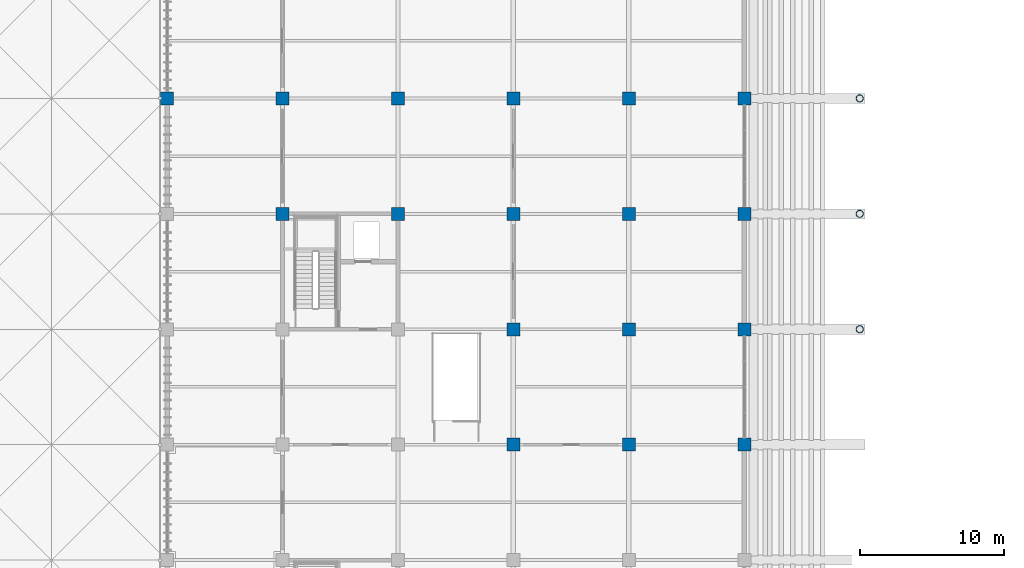
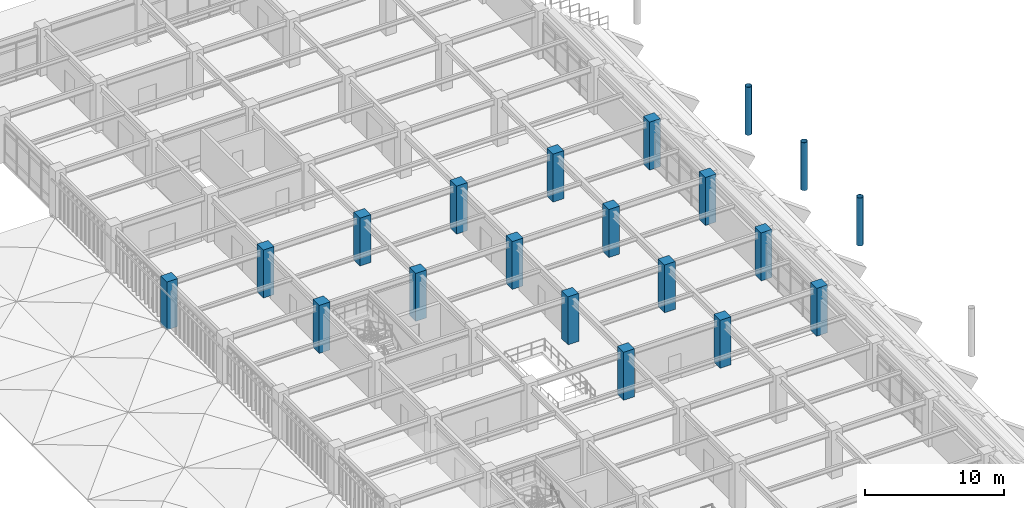
# One storey, part 5 of 118: 20 columns.
"""IFC4 building model written with IfcOpenShell, lengths in metres."""

from ifc_helpers import new_model, si_unit, direction, frame, origin, origin_2d, place, context, subcontext, project, spatial, rectangle, hollow_circle, extrude, material, material_profile, profile_set, type_object, element, save


model = new_model("IFC4")

# Units and contexts
model_context = context("Model", 3, precision=1e-05, world=origin(), true_north=direction((0.0, 1.0)))
body_context = subcontext(model_context, "Body", "Model", "MODEL_VIEW")
ifc_project = project(units=[si_unit("LENGTHUNIT", "METRE"), si_unit("AREAUNIT", "SQUARE_METRE"), si_unit("VOLUMEUNIT", "CUBIC_METRE"), si_unit("PLANEANGLEUNIT", "RADIAN"), si_unit("MASSUNIT", "GRAM", prefix="KILO")], contexts=[model_context])

# Site, building, storey
site_placement = place(None, origin())
site = spatial("IfcSite", under=ifc_project, at=site_placement, CompositionType="ELEMENT")
building_placement = place(site_placement, origin())
building = spatial("IfcBuilding", under=site, at=building_placement, Name="Haebicheon Civic Stadium", CompositionType="ELEMENT")
storey_placement = place(building_placement, frame((0.0, 0.0, 14.39990234375)))
storey = spatial("IfcBuildingStorey", under=building, at=storey_placement, Name="L04", CompositionType="ELEMENT", Elevation=14.39990234375)

# Columns
ifc_material_1 = material(Name="Concrete C40/50", Category="concrete")
ifc_material_profile_1 = material_profile(ifc_material_1, rectangle(XDim=0.89990234375, YDim=0.89990234375, at=origin_2d()), Name="RC-COL-900x900")
ifc_profile_set_1 = profile_set([ifc_material_profile_1], Name="Concrete C40/50")
column_type_1 = type_object("IfcColumnType", Name="COL-RC-900", PredefinedType="COLUMN", material=ifc_profile_set_1)
for number, where, z_axis, x_axis, name in (
    (1, (24.0, 120.0, 0.0), (0.0, 0.0, 1.0), (1.0, 0.0, 0.0), "L04 column 4/R"),
    (2, (32.0, 112.0, 0.0), (0.0, 0.0, 1.0), (1.0, 0.0, 0.0), "L04 column 5/Q"),
    (3, (32.0, 120.0, 0.0), (0.0, 0.0, 1.0), (1.0, 0.0, 0.0), "L04 column 5/R"),
    (4, (40.0, 112.0, 0.0), (0.0, 0.0, 1.0), (1.0, 0.0, 0.0), "L04 column 6/Q"),
    (5, (40.0, 120.0, 0.0), (0.0, 0.0, 1.0), (1.0, 0.0, 0.0), "L04 column 6/R"),
    (6, (48.0, 96.0, 0.0), (0.0, 0.0, 1.0), (1.0, 0.0, 0.0), "L04 column 7/N"),
    (7, (48.0, 104.0, 0.0), (0.0, 0.0, 1.0), (1.0, 0.0, 0.0), "L04 column 7/P"),
    (8, (48.0, 112.0, 0.0), (0.0, 0.0, 1.0), (1.0, 0.0, 0.0), "L04 column 7/Q"),
    (9, (48.0, 120.0, 0.0), (0.0, 0.0, 1.0), (1.0, 0.0, 0.0), "L04 column 7/R"),
    (10, (56.0, 96.0, 0.0), (0.0, 0.0, 1.0), (1.0, 0.0, 0.0), "L04 column 8/N"),
    (11, (56.0, 104.0, 0.0), (0.0, 0.0, 1.0), (1.0, 0.0, 0.0), "L04 column 8/P"),
    (12, (56.0, 112.0, 0.0), (0.0, 0.0, 1.0), (1.0, 0.0, 0.0), "L04 column 8/Q"),
    (13, (56.0, 120.0, 0.0), (0.0, 0.0, 1.0), (1.0, 0.0, 0.0), "L04 column 8/R"),
    (14, (64.0, 96.0, 0.0), (0.0, 0.0, 1.0), (1.0, 0.0, 0.0), "L04 column 9/N"),
    (15, (64.0, 104.0, 0.0), (0.0, 0.0, 1.0), (1.0, 0.0, 0.0), "L04 column 9/P"),
    (16, (64.0, 112.0, 0.0), (0.0, 0.0, 1.0), (1.0, 0.0, 0.0), "L04 column 9/Q"),
    (17, (64.0, 120.0, 0.0), (0.0, 0.0, 1.0), (1.0, 0.0, 0.0), "L04 column 9/R"),
):
    element("IfcColumn", number, at=place(storey_placement, frame(where, z_axis=z_axis, x_axis=x_axis)), inside=storey, type_object=column_type_1, material=ifc_profile_set_1, Name=name, PredefinedType="COLUMN", context=body_context, shape_type="SweptSolid", body=[
        extrude(rectangle(XDim=0.89990234375, YDim=0.89990234375, at=origin_2d()), origin(), (0.0, 0.0, 1.0), 4.2001953125),
    ])
ifc_material_2 = material(Name="White painted steel SM490", Category="steel")
ifc_material_profile_2 = material_profile(ifc_material_2, hollow_circle(Radius=0.25390625, WallThickness=0.02490234375, at=origin_2d()), Name="CHS-508.0x25.0")
ifc_profile_set_2 = profile_set([ifc_material_profile_2], Name="White painted steel SM490")
column_type_2 = type_object("IfcColumnType", Name="COL-ST-CHS508", PredefinedType="COLUMN", material=ifc_profile_set_2)
for number, where, z_axis, x_axis, name in (
    (18, (72.0, 104.0, 0.0), (0.0, 0.0, 1.0), (1.0, 0.0, 0.0), "Bowl/canopy support column 72/104 (L04)"),
    (19, (72.0, 112.0, 0.0), (0.0, 0.0, 1.0), (1.0, 0.0, 0.0), "Bowl/canopy support column 72/112 (L04)"),
    (20, (72.0, 120.0, 0.0), (0.0, 0.0, 1.0), (1.0, 0.0, 0.0), "Bowl/canopy support column 72/120 (L04)"),
):
    element("IfcColumn", number, at=place(storey_placement, frame(where, z_axis=z_axis, x_axis=x_axis)), inside=storey, type_object=column_type_2, material=ifc_profile_set_2, Name=name, PredefinedType="COLUMN", context=body_context, shape_type="SweptSolid", body=[
        extrude(hollow_circle(Radius=0.25390625, WallThickness=0.02490234375, at=origin_2d()), origin(), (0.0, 0.0, 1.0), 4.2001953125),
    ])

save(model, "model.ifc")
